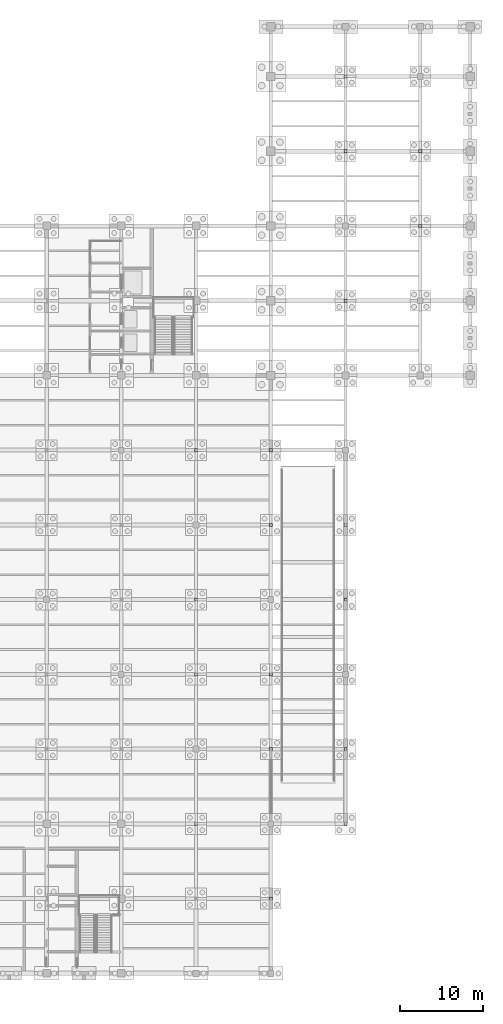
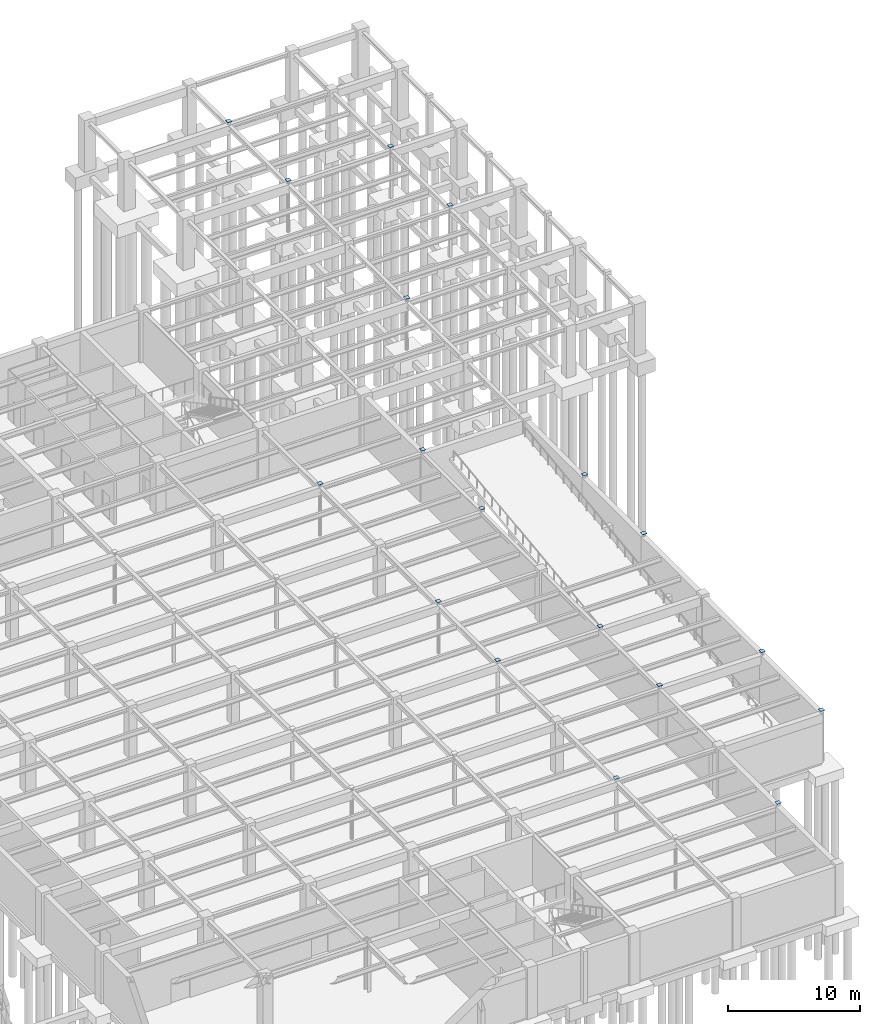
# One storey, part 39 of 49: 18 plates.
"""IFC4 building model written with IfcOpenShell, lengths in metres."""

from ifc_helpers import new_model, si_unit, direction, frame, origin, origin_2d, place, context, subcontext, project, spatial, rectangle, extrude, material, layer, layer_set, type_object, element, save


model = new_model("IFC4")

# Units and contexts
model_context = context("Model", 3, precision=1e-05, world=origin(), true_north=direction((0.0, 1.0)))
body_context = subcontext(model_context, "Body", "Model", "MODEL_VIEW")
ifc_project = project(units=[si_unit("LENGTHUNIT", "METRE"), si_unit("AREAUNIT", "SQUARE_METRE"), si_unit("VOLUMEUNIT", "CUBIC_METRE"), si_unit("PLANEANGLEUNIT", "RADIAN"), si_unit("MASSUNIT", "GRAM", prefix="KILO")], contexts=[model_context])

# Site, building, storey
site_placement = place(None, origin())
site = spatial("IfcSite", under=ifc_project, at=site_placement, CompositionType="ELEMENT")
building_placement = place(site_placement, origin())
building = spatial("IfcBuilding", under=site, at=building_placement, Name="Lykobir Media Centre", CompositionType="ELEMENT")
storey_placement = place(building_placement, frame((0.0, 0.0, -4.800048828125)))
storey = spatial("IfcBuildingStorey", under=building, at=storey_placement, Name="B1", CompositionType="ELEMENT", Elevation=-4.800048828125)

# Plates
ifc_material = material(Name="Steel S355", Category="steel")
ifc_layer = layer(ifc_material, 0.02197265625, Name="Steel S355")
ifc_layer_set = layer_set([ifc_layer], Name="Steel S355")
plate_type = type_object("IfcPlateType", Name="CP-360", PredefinedType="SHEET", material=ifc_layer_set)
for number, where, z_axis, x_axis, name in (
    (1, (135.0, 18.0, 4.800048828125), (0.0, 0.0, 1.0), (1.0, 0.0, 0.0), "Structural plate PLT-B1-1350-0180-0000"),
    (2, (135.0, 36.0, 4.800048828125), (0.0, 0.0, 1.0), (1.0, 0.0, 0.0), "Structural plate PLT-B1-1350-0360-0000"),
    (3, (135.0, 45.0, 4.800048828125), (0.0, 0.0, 1.0), (1.0, 0.0, 0.0), "Structural plate PLT-B1-1350-0450-0000"),
    (4, (135.0, 63.0, 4.800048828125), (0.0, 0.0, 1.0), (1.0, 0.0, 0.0), "Structural plate PLT-B1-1350-0630-0000"),
    (5, (144.0, 9.0, 4.800048828125), (0.0, 0.0, 1.0), (1.0, 0.0, 0.0), "Structural plate PLT-B1-1440-0090-0000"),
    (6, (144.0, 27.0, 4.800048828125), (0.0, 0.0, 1.0), (1.0, 0.0, 0.0), "Structural plate PLT-B1-1440-0270-0000"),
    (7, (144.0, 36.0, 4.800048828125), (0.0, 0.0, 1.0), (1.0, 0.0, 0.0), "Structural plate PLT-B1-1440-0360-0000"),
    (8, (144.0, 54.0, 4.800048828125), (0.0, 0.0, 1.0), (1.0, 0.0, 0.0), "Structural plate PLT-B1-1440-0540-0000"),
    (9, (144.0, 63.0, 4.800048828125), (0.0, 0.0, 1.0), (1.0, 0.0, 0.0), "Structural plate PLT-B1-1440-0630-0000"),
    (10, (153.0, 18.0, 4.800048828125), (0.0, 0.0, 1.0), (1.0, 0.0, 0.0), "Structural plate PLT-B1-1530-0180-0000"),
    (11, (153.0, 27.0, 4.800048828125), (0.0, 0.0, 1.0), (1.0, 0.0, 0.0), "Structural plate PLT-B1-1530-0270-0000"),
    (12, (153.0, 45.0, 4.800048828125), (0.0, 0.0, 1.0), (1.0, 0.0, 0.0), "Structural plate PLT-B1-1530-0450-0000"),
    (13, (153.0, 54.0, 4.800048828125), (0.0, 0.0, 1.0), (1.0, 0.0, 0.0), "Structural plate PLT-B1-1530-0540-0000"),
    (14, (153.0, 81.0, 4.800048828125), (0.0, 0.0, 1.0), (1.0, 0.0, 0.0), "Structural plate PLT-B1-1530-0810-0000"),
    (15, (153.0, 99.0, 4.800048828125), (0.0, 0.0, 1.0), (1.0, 0.0, 0.0), "Structural plate PLT-B1-1530-0990-0000"),
    (16, (153.0, 108.0, 4.800048828125), (0.0, 0.0, 1.0), (1.0, 0.0, 0.0), "Structural plate PLT-B1-1530-1080-0000"),
    (17, (162.0, 90.0, 4.800048828125), (0.0, 0.0, 1.0), (1.0, 0.0, 0.0), "Structural plate PLT-B1-1620-0900-0000"),
    (18, (162.0, 99.0, 4.800048828125), (0.0, 0.0, 1.0), (1.0, 0.0, 0.0), "Structural plate PLT-B1-1620-0990-0000"),
):
    element("IfcPlate", number, at=place(storey_placement, frame(where, z_axis=z_axis, x_axis=x_axis)), inside=storey, type_object=plate_type, Name=name, PredefinedType="SHEET", context=body_context, shape_type="SweptSolid", body=[
        extrude(rectangle(XDim=0.3798828125, YDim=0.3798828125, at=origin_2d()), origin(), (0.0, 0.0, 1.0), 0.02197265625),
    ])

save(model, "model.ifc")
